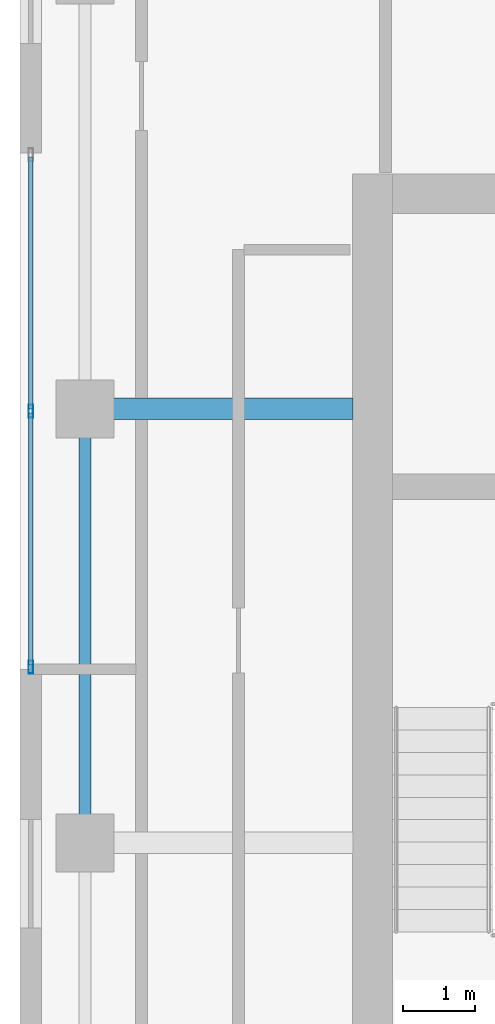
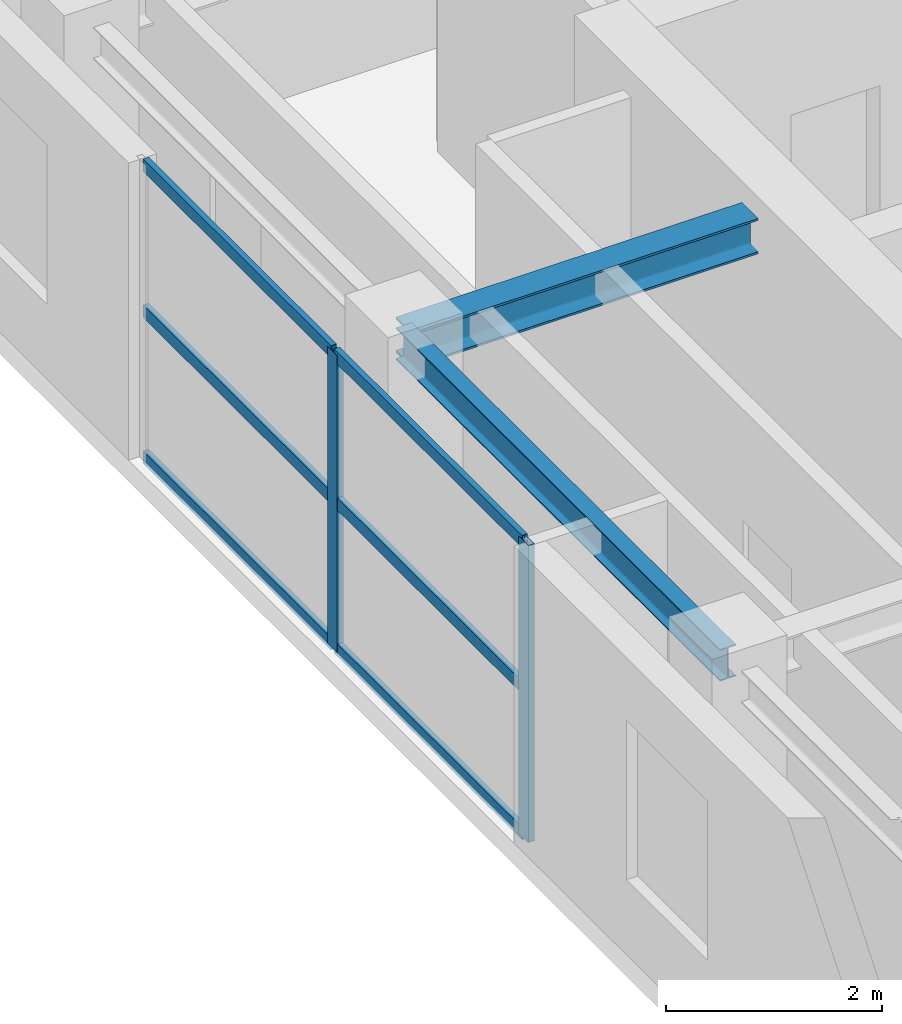
# One storey, part 5 of 22: 8 members, 2 beams, 1 element without a shape of its own.
"""IFC4 building model written with IfcOpenShell, lengths in metres."""

from ifc_helpers import new_model, si_unit, direction, frame, origin, origin_2d, place, context, subcontext, project, spatial, hollow_rectangle, i_section, extrude, source, transform, mapped, material, layer, layer_set, material_profile, profile_set, type_object, element, aggregate, save


model = new_model("IFC4")

# Units and contexts
model_context = context("Model", 3, precision=1e-05, world=origin(), true_north=direction((0.0, 1.0)))
body_context = subcontext(model_context, "Body", "Model", "MODEL_VIEW")
ifc_project = project(units=[si_unit("LENGTHUNIT", "METRE"), si_unit("AREAUNIT", "SQUARE_METRE"), si_unit("VOLUMEUNIT", "CUBIC_METRE"), si_unit("PLANEANGLEUNIT", "RADIAN"), si_unit("MASSUNIT", "GRAM", prefix="KILO")], contexts=[model_context])

# Site, building, storey
site_placement = place(None, origin())
site = spatial("IfcSite", under=ifc_project, at=site_placement, CompositionType="ELEMENT")
building_placement = place(site_placement, origin())
building = spatial("IfcBuilding", under=site, at=building_placement, Name="Khoralis Quay Care Tower", CompositionType="ELEMENT")
storey_placement = place(building_placement, frame((0.0, 0.0, 260.10009765625)))
storey = spatial("IfcBuildingStorey", under=building, at=storey_placement, Name="L68", CompositionType="ELEMENT", Elevation=260.10009765625)

# Beams
ifc_material_1 = material(Name="Steel S355", Category="steel")
ifc_material_profile_1 = material_profile(ifc_material_1, i_section(OverallWidth=0.169921875, OverallDepth=0.360107421875, WebThickness=0.008056640625, FlangeThickness=0.0126953125, FilletRadius=0.01806640625, at=origin_2d()), Name="Steel S355")
ifc_profile_set_1 = profile_set([ifc_material_profile_1], Name="Steel S355")
beam_type_1 = type_object("IfcBeamType", Name="BM-IPE360", PredefinedType="SPANDREL", material=ifc_profile_set_1)
shared_shape_1 = source(origin(), body_context, "Body", "SweptSolid", [
    extrude(i_section(OverallWidth=0.169921875, OverallDepth=0.360107421875, WebThickness=0.008056640625, FlangeThickness=0.0126953125, FilletRadius=0.01806640625, at=origin_2d()), origin(), (0.0, 0.0, 1.0), 6.0),
])
beam_1_placement = place(storey_placement, frame((3.89990234375, 18.0, 3.179931640625), z_axis=(0.0, 1.0, 0.0), x_axis=(-1.0, 0.0, 0.0)))
element("IfcBeam", 1, at=beam_1_placement, inside=storey, type_object=beam_type_1, Name="BM-TSP-L68-06", PredefinedType="SPANDREL", context=body_context, shape_type="MappedRepresentation", body=[
    mapped(shared_shape_1, transform((0.0, 0.0, 0.0), scale=1.0)),
])
ifc_material_profile_2 = material_profile(ifc_material_1, i_section(OverallWidth=0.300048828125, OverallDepth=0.39990234375, WebThickness=0.013427734375, FlangeThickness=0.02392578125, FilletRadius=0.027099609375, at=origin_2d()), Name="Steel S355")
ifc_profile_set_2 = profile_set([ifc_material_profile_2], Name="Steel S355")
beam_type_2 = type_object("IfcBeamType", Name="BM-HEB400", PredefinedType="BEAM", material=ifc_profile_set_2)
shared_shape_2 = source(origin(), body_context, "Body", "SweptSolid", [
    extrude(i_section(OverallWidth=0.300048828125, OverallDepth=0.39990234375, WebThickness=0.013427734375, FlangeThickness=0.02392578125, FilletRadius=0.027099609375, at=origin_2d()), origin(), (0.0, 0.0, 1.0), 3.7021484375),
])
beam_2_placement = place(storey_placement, frame((3.89990234375, 24.0, 3.159912109375), z_axis=(1.0, 0.0, 0.0), x_axis=(0.0, 1.0, 0.0)))
element("IfcBeam", 2, at=beam_2_placement, inside=storey, type_object=beam_type_2, Name="BM-TGXW-L68-240", PredefinedType="BEAM", context=body_context, shape_type="MappedRepresentation", body=[
    mapped(shared_shape_2, transform((0.0, 0.0, 0.0), scale=1.0)),
])

# Curtain wall, members
ifc_material_2 = material(Name="Pale anodised aluminium", Category="aluminium")
ifc_layer = layer(ifc_material_2, 0.159912109375)
ifc_layer_set = layer_set([ifc_layer], Name="Pale anodised aluminium")
curtain_wall_type = type_object("IfcCurtainWallType", Name="CW-SYS-Z3", PredefinedType="NOTDEFINED", material=ifc_layer_set)
curtain_wall_placement = place(storey_placement, origin())
curtain_wall = element("IfcCurtainWall", 3, at=curtain_wall_placement, inside=storey, type_object=curtain_wall_type, Name="L68 Unitised Curtain Wall CW-L68-P1-E7", PredefinedType="NOTDEFINED")
ifc_material_profile_3 = material_profile(ifc_material_2, hollow_rectangle(XDim=0.06494140625, YDim=0.179931640625, WallThickness=0.00390625, at=origin_2d()), Name="Pale anodised aluminium")
ifc_profile_set_3 = profile_set([ifc_material_profile_3], Name="Pale anodised aluminium")
member_type_1 = type_object("IfcMemberType", Name="CW-MUL-180", PredefinedType="MULLION", material=ifc_profile_set_3)
shared_shape_3 = source(origin(), body_context, "Body", "SweptSolid", [
    extrude(hollow_rectangle(XDim=0.06494140625, YDim=0.179931640625, WallThickness=0.00390625, at=origin_2d()), origin(), (0.0, 0.0, 1.0), 3.35986328125),
])
member_1_placement = place(storey_placement, frame((3.14990234375, 23.969970703125, 0.0), z_axis=(0.0, 0.0, 1.0), x_axis=(1.0, 0.0, 0.0)))
member_1 = element("IfcMember", 4, at=member_1_placement, type_object=member_type_1, Name="CW3 mullion 2", PredefinedType="MULLION", context=body_context, shape_type="MappedRepresentation", body=[
    mapped(shared_shape_3, transform((0.0, 0.0, 0.0), scale=1.0)),
])
member_2_placement = place(storey_placement, frame((3.14990234375, 20.429931640625, 0.0), z_axis=(0.0, 0.0, 1.0), x_axis=(1.0, 0.0, 0.0)))
member_2 = element("IfcMember", 5, at=member_2_placement, type_object=member_type_1, Name="CW3 mullion 3", PredefinedType="MULLION", context=body_context, shape_type="MappedRepresentation", body=[
    mapped(shared_shape_3, transform((0.0, 0.0, 0.0), scale=1.0)),
])
ifc_material_profile_4 = material_profile(ifc_material_2, hollow_rectangle(XDim=0.06005859375, YDim=0.139892578125, WallThickness=0.00390625, at=origin_2d()), Name="Pale anodised aluminium")
ifc_profile_set_4 = profile_set([ifc_material_profile_4], Name="Pale anodised aluminium")
member_type_2 = type_object("IfcMemberType", Name="CW-TRN-140", PredefinedType="USERDEFINED", material=ifc_profile_set_4)
shared_shape_4 = source(origin(), body_context, "Body", "SweptSolid", [
    extrude(hollow_rectangle(XDim=0.06005859375, YDim=0.139892578125, WallThickness=0.00390625, at=origin_2d()), origin(), (0.0, 0.0, 1.0), 3.47998046875),
])
member_3_placement = place(storey_placement, frame((3.14990234375, 27.47998046875, 0.02978515625), z_axis=(0.0, -1.0, 0.0), x_axis=(1.0, 0.0, 0.0)))
member_3 = element("IfcMember", 6, at=member_3_placement, type_object=member_type_2, Name="CW3 transom 1.1", ObjectType="TRANSOM", PredefinedType="USERDEFINED", context=body_context, shape_type="MappedRepresentation", body=[
    mapped(shared_shape_4, transform((0.0, 0.0, 0.0), scale=1.0)),
])
member_4_placement = place(storey_placement, frame((3.14990234375, 27.47998046875, 1.679931640625), z_axis=(0.0, -1.0, 0.0), x_axis=(1.0, 0.0, 0.0)))
member_4 = element("IfcMember", 7, at=member_4_placement, type_object=member_type_2, Name="CW3 transom 1.2", ObjectType="TRANSOM", PredefinedType="USERDEFINED", context=body_context, shape_type="MappedRepresentation", body=[
    mapped(shared_shape_4, transform((0.0, 0.0, 0.0), scale=1.0)),
])
member_5_placement = place(storey_placement, frame((3.14990234375, 27.47998046875, 3.329833984375), z_axis=(0.0, -1.0, 0.0), x_axis=(1.0, 0.0, 0.0)))
member_5 = element("IfcMember", 8, at=member_5_placement, type_object=member_type_2, Name="CW3 transom 1.3", ObjectType="TRANSOM", PredefinedType="USERDEFINED", context=body_context, shape_type="MappedRepresentation", body=[
    mapped(shared_shape_4, transform((0.0, 0.0, 0.0), scale=1.0)),
])
member_6_placement = place(storey_placement, frame((3.14990234375, 23.93994140625, 0.02978515625), z_axis=(0.0, -1.0, 0.0), x_axis=(1.0, 0.0, 0.0)))
member_6 = element("IfcMember", 9, at=member_6_placement, type_object=member_type_2, Name="CW3 transom 2.1", ObjectType="TRANSOM", PredefinedType="USERDEFINED", context=body_context, shape_type="MappedRepresentation", body=[
    mapped(shared_shape_4, transform((0.0, 0.0, 0.0), scale=1.0)),
])
member_7_placement = place(storey_placement, frame((3.14990234375, 23.93994140625, 1.679931640625), z_axis=(0.0, -1.0, 0.0), x_axis=(1.0, 0.0, 0.0)))
member_7 = element("IfcMember", 10, at=member_7_placement, type_object=member_type_2, Name="CW3 transom 2.2", ObjectType="TRANSOM", PredefinedType="USERDEFINED", context=body_context, shape_type="MappedRepresentation", body=[
    mapped(shared_shape_4, transform((0.0, 0.0, 0.0), scale=1.0)),
])
member_8_placement = place(storey_placement, frame((3.14990234375, 23.93994140625, 3.329833984375), z_axis=(0.0, -1.0, 0.0), x_axis=(1.0, 0.0, 0.0)))
member_8 = element("IfcMember", 11, at=member_8_placement, type_object=member_type_2, Name="CW3 transom 2.3", ObjectType="TRANSOM", PredefinedType="USERDEFINED", context=body_context, shape_type="MappedRepresentation", body=[
    mapped(shared_shape_4, transform((0.0, 0.0, 0.0), scale=1.0)),
])
aggregate(curtain_wall, [member_1, member_2, member_3, member_4, member_5, member_6, member_7, member_8])

save(model, "model.ifc")
